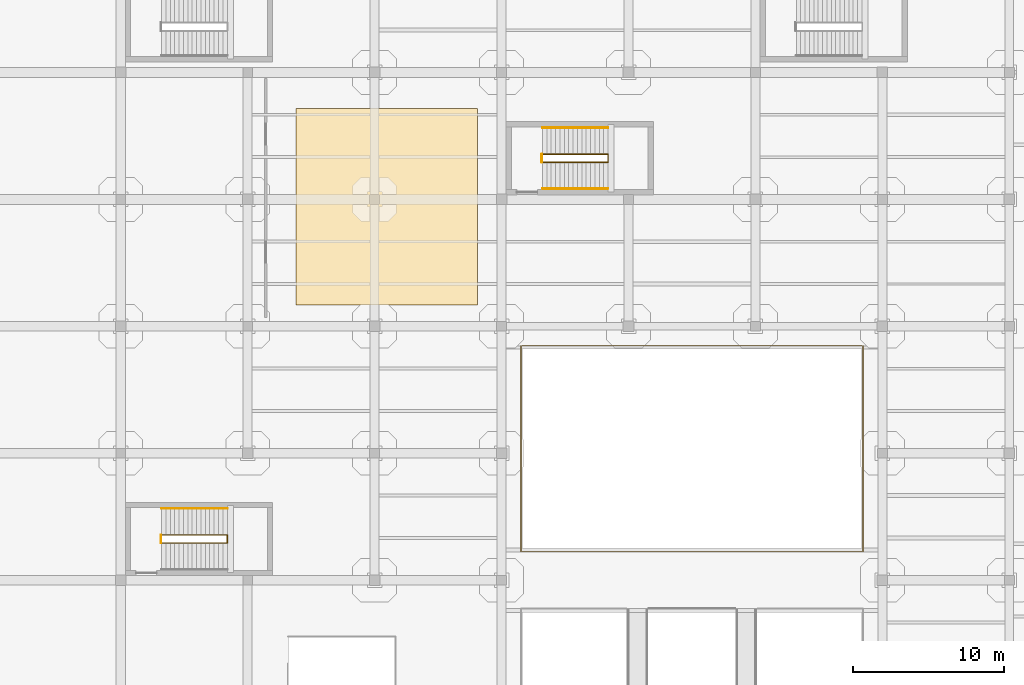
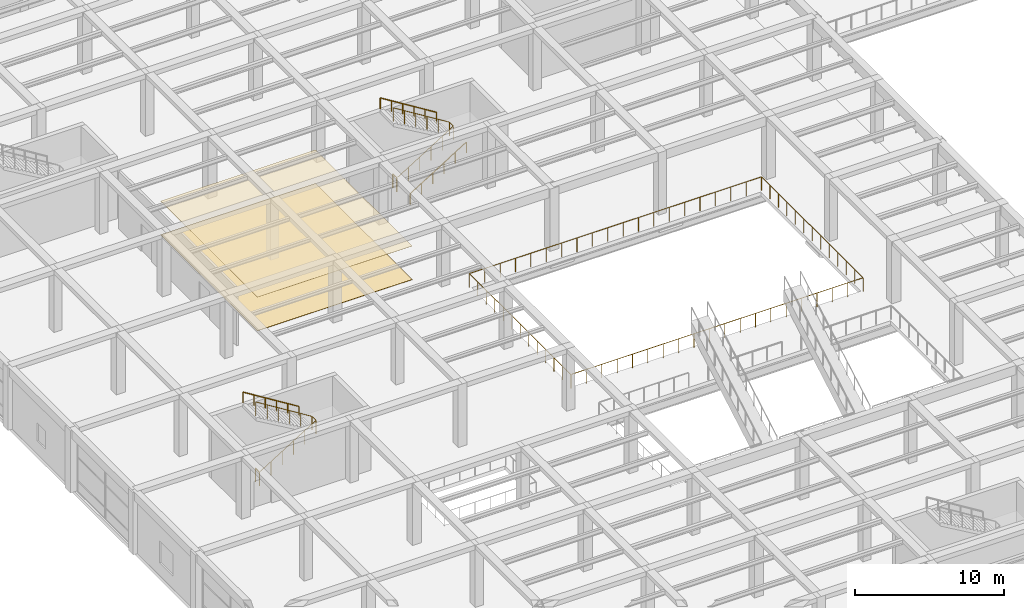
# One storey, part 58 of 65: 8 railings, 2 coverings.
"""IFC4 building model written with IfcOpenShell, lengths in metres."""

from ifc_helpers import new_model, si_unit, direction, frame, origin, origin_2d, place, context, subcontext, project, spatial, polyline, circle, outline, extrude, material, layer, layer_set, type_object, element, save


model = new_model("IFC4")

# Units and contexts
model_context = context("Model", 3, precision=1e-05, world=origin(), true_north=direction((0.0, 1.0)))
body_context = subcontext(model_context, "Body", "Model", "MODEL_VIEW")
ifc_project = project(units=[si_unit("LENGTHUNIT", "METRE"), si_unit("AREAUNIT", "SQUARE_METRE"), si_unit("VOLUMEUNIT", "CUBIC_METRE"), si_unit("PLANEANGLEUNIT", "RADIAN"), si_unit("MASSUNIT", "GRAM", prefix="KILO")], contexts=[model_context])

# Site, building, storey
site_placement = place(None, origin())
site = spatial("IfcSite", under=ifc_project, at=site_placement, CompositionType="ELEMENT")
building_placement = place(site_placement, origin())
building = spatial("IfcBuilding", under=site, at=building_placement, Name="Almacenes y Pasaje Nevantli", CompositionType="ELEMENT")
storey_placement = place(building_placement, frame((0.0, 0.0, 16.800048828125)))
storey = spatial("IfcBuildingStorey", under=building, at=storey_placement, Name="L04", CompositionType="ELEMENT", Elevation=16.800048828125)

# Coverings
ifc_material_1 = material(Name="Perforated Acoustic Mineral Fiber Ceiling", Category="gypsum")
ifc_layer_1 = layer(ifc_material_1, 0.02001953125)
ifc_layer_set_1 = layer_set([ifc_layer_1], Name="Perforated Acoustic Mineral Fiber Ceiling")
covering_type_1 = type_object("IfcCoveringType", Name="COV-CEIL-ACU", PredefinedType="CEILING", material=ifc_layer_set_1)
covering_1_placement = place(storey_placement, frame((0.0, 0.0, 2.75)))
element("IfcCovering", 1, at=covering_1_placement, inside=storey, type_object=covering_type_1, Name="L04 Suspended Acoustic Ceiling Panel", PredefinedType="CEILING", context=body_context, shape_type="SweptSolid", body=[
    extrude(outline(polyline([(20.0, 77.0), (32.0, 77.0), (32.0, 90.0), (20.0, 90.0), (20.0, 77.0)])), origin(), (0.0, 0.0, 1.0), 0.02001953125),
])
ifc_material_2 = material(Name="Polished Toluca Stone Terrazzo Flooring", Category="masonry")
ifc_layer_2 = layer(ifc_material_2, 0.02490234375)
ifc_layer_set_2 = layer_set([ifc_layer_2], Name="Polished Toluca Stone Terrazzo Flooring")
covering_type_2 = type_object("IfcCoveringType", Name="COV-FLR-TERRAZZO", PredefinedType="FLOORING", material=ifc_layer_set_2)
covering_2_placement = place(storey_placement, origin())
element("IfcCovering", 2, at=covering_2_placement, inside=storey, type_object=covering_type_2, Name="L04 Polished Stone Terrazzo Floor Finish", PredefinedType="FLOORING", context=body_context, shape_type="SweptSolid", body=[
    extrude(outline(polyline([(20.0, 77.0), (32.0, 77.0), (32.0, 90.0), (20.0, 90.0), (20.0, 77.0)])), origin(), (0.0, 0.0, 1.0), 0.02490234375),
])

# Railings
ifc_material_3 = material(Name="Brushed Stainless Steel and Tempered Safety Glass", Category="steel")
railing_type_1 = type_object("IfcRailingType", Name="RL-GUARD-1100", PredefinedType="BALUSTRADE", material=ifc_material_3)
railing_1_placement = place(storey_placement, frame((11.10009765625, 61.260009765625, 0.0)))
element("IfcRailing", 3, at=railing_1_placement, inside=storey, type_object=railing_type_1, Name="L04 Stair ST-12 Inner Well Guard Balustrade", PredefinedType="BALUSTRADE", context=body_context, shape_type="SweptSolid", body=[
    extrude(circle(Radius=0.02392578125, at=origin_2d()), frame((0.025390625, 0.0, 1.1416015625), z_axis=(0.849636482215, 0.0, 0.527368797038), x_axis=(0.0, 1.0, 0.0)), (0.0, 0.0, 1.0), 5.0595703125),
    extrude(circle(Radius=0.02392578125, at=origin_2d()), frame((4.349853515625, 0.030029296875, 3.82568359375), z_axis=(0.0, 1.0, 0.0), x_axis=(-1.0, 0.0, 0.0)), (0.0, 0.0, 1.0), 0.469970703125),
    extrude(circle(Radius=0.02392578125, at=origin_2d()), frame((4.324462890625, 0.530029296875, 3.841552734375), z_axis=(-0.849636482215, 0.0, 0.527368797038), x_axis=(0.0, -1.0, 0.0)), (0.0, 0.0, 1.0), 5.0595703125),
    extrude(circle(Radius=0.02099609375, at=origin_2d()), origin(), (0.0, 0.0, 1.0), 1.096923828125),
    extrude(circle(Radius=0.02099609375, at=origin_2d()), frame((0.869873046875, 0.0, 0.5400390625)), (0.0, 0.0, 1.0), 1.096923828125),
    extrude(circle(Radius=0.02099609375, at=origin_2d()), frame((1.739990234375, 0.0, 1.080078125)), (0.0, 0.0, 1.0), 1.096923828125),
    extrude(circle(Radius=0.02099609375, at=origin_2d()), frame((2.60986328125, 0.0, 1.619873046875)), (0.0, 0.0, 1.0), 1.096923828125),
    extrude(circle(Radius=0.02099609375, at=origin_2d()), frame((3.47998046875, 0.0, 2.159912109375)), (0.0, 0.0, 1.0), 1.096923828125),
    extrude(circle(Radius=0.02099609375, at=origin_2d()), frame((4.349853515625, 0.0, 2.699951171875)), (0.0, 0.0, 1.0), 1.096923828125),
    extrude(circle(Radius=0.02099609375, at=origin_2d()), frame((4.349853515625, 0.530029296875, 2.699951171875)), (0.0, 0.0, 1.0), 1.096923828125),
    extrude(circle(Radius=0.02099609375, at=origin_2d()), frame((3.47998046875, 0.530029296875, 3.239990234375)), (0.0, 0.0, 1.0), 1.096923828125),
    extrude(circle(Radius=0.02099609375, at=origin_2d()), frame((2.60986328125, 0.530029296875, 3.780029296875)), (0.0, 0.0, 1.0), 1.096923828125),
    extrude(circle(Radius=0.02099609375, at=origin_2d()), frame((1.739990234375, 0.530029296875, 4.31982421875)), (0.0, 0.0, 1.0), 1.096923828125),
    extrude(circle(Radius=0.02099609375, at=origin_2d()), frame((0.869873046875, 0.530029296875, 4.85986328125)), (0.0, 0.0, 1.0), 1.096923828125),
    extrude(circle(Radius=0.02099609375, at=origin_2d()), frame((0.0, 0.530029296875, 5.39990234375)), (0.0, 0.0, 1.0), 1.096923828125),
])
railing_2_placement = place(storey_placement, frame((11.06005859375, 61.260009765625, 0.0)))
element("IfcRailing", 4, at=railing_2_placement, inside=storey, type_object=railing_type_1, Name="L04 Stair ST-12 Landing Well Slot Guard", PredefinedType="BALUSTRADE", context=body_context, shape_type="SweptSolid", body=[
    extrude(circle(Radius=0.02392578125, at=origin_2d()), frame((0.0, 0.030029296875, 1.1259765625), z_axis=(0.0, 1.0, 0.0), x_axis=(-1.0, 0.0, 0.0)), (0.0, 0.0, 1.0), 0.469970703125),
    extrude(circle(Radius=0.02099609375, at=origin_2d()), origin(), (0.0, 0.0, 1.0), 1.096923828125),
    extrude(circle(Radius=0.02099609375, at=origin_2d()), frame((0.0, 0.530029296875, 0.0)), (0.0, 0.0, 1.0), 1.096923828125),
])
railing_3_placement = place(storey_placement, frame((36.300048828125, 86.4599609375, 0.0)))
element("IfcRailing", 5, at=railing_3_placement, inside=storey, type_object=railing_type_1, Name="L04 Stair ST-15 Inner Well Guard Balustrade", PredefinedType="BALUSTRADE", context=body_context, shape_type="SweptSolid", body=[
    extrude(circle(Radius=0.02392578125, at=origin_2d()), frame((0.025390625, 0.0, 1.1416015625), z_axis=(0.849636482215, 0.0, 0.527368797038), x_axis=(0.0, 1.0, 0.0)), (0.0, 0.0, 1.0), 5.0595703125),
    extrude(circle(Radius=0.02392578125, at=origin_2d()), frame((4.349853515625, 0.030029296875, 3.82568359375), z_axis=(0.0, 1.0, 0.0), x_axis=(-1.0, 0.0, 0.0)), (0.0, 0.0, 1.0), 0.469970703125),
    extrude(circle(Radius=0.02392578125, at=origin_2d()), frame((4.324462890625, 0.530029296875, 3.841552734375), z_axis=(-0.849636482215, 0.0, 0.527368797038), x_axis=(0.0, -1.0, 0.0)), (0.0, 0.0, 1.0), 5.0595703125),
    extrude(circle(Radius=0.02099609375, at=origin_2d()), origin(), (0.0, 0.0, 1.0), 1.096923828125),
    extrude(circle(Radius=0.02099609375, at=origin_2d()), frame((0.869873046875, 0.0, 0.5400390625)), (0.0, 0.0, 1.0), 1.096923828125),
    extrude(circle(Radius=0.02099609375, at=origin_2d()), frame((1.739990234375, 0.0, 1.080078125)), (0.0, 0.0, 1.0), 1.096923828125),
    extrude(circle(Radius=0.02099609375, at=origin_2d()), frame((2.60986328125, 0.0, 1.619873046875)), (0.0, 0.0, 1.0), 1.096923828125),
    extrude(circle(Radius=0.02099609375, at=origin_2d()), frame((3.47998046875, 0.0, 2.159912109375)), (0.0, 0.0, 1.0), 1.096923828125),
    extrude(circle(Radius=0.02099609375, at=origin_2d()), frame((4.349853515625, 0.0, 2.699951171875)), (0.0, 0.0, 1.0), 1.096923828125),
    extrude(circle(Radius=0.02099609375, at=origin_2d()), frame((4.349853515625, 0.530029296875, 2.699951171875)), (0.0, 0.0, 1.0), 1.096923828125),
    extrude(circle(Radius=0.02099609375, at=origin_2d()), frame((3.47998046875, 0.530029296875, 3.239990234375)), (0.0, 0.0, 1.0), 1.096923828125),
    extrude(circle(Radius=0.02099609375, at=origin_2d()), frame((2.60986328125, 0.530029296875, 3.780029296875)), (0.0, 0.0, 1.0), 1.096923828125),
    extrude(circle(Radius=0.02099609375, at=origin_2d()), frame((1.739990234375, 0.530029296875, 4.31982421875)), (0.0, 0.0, 1.0), 1.096923828125),
    extrude(circle(Radius=0.02099609375, at=origin_2d()), frame((0.869873046875, 0.530029296875, 4.85986328125)), (0.0, 0.0, 1.0), 1.096923828125),
    extrude(circle(Radius=0.02099609375, at=origin_2d()), frame((0.0, 0.530029296875, 5.39990234375)), (0.0, 0.0, 1.0), 1.096923828125),
])
railing_4_placement = place(storey_placement, frame((36.260009765625, 86.4599609375, 0.0)))
element("IfcRailing", 6, at=railing_4_placement, inside=storey, type_object=railing_type_1, Name="L04 Stair ST-15 Landing Well Slot Guard", PredefinedType="BALUSTRADE", context=body_context, shape_type="SweptSolid", body=[
    extrude(circle(Radius=0.02392578125, at=origin_2d()), frame((0.0, 0.030029296875, 1.1259765625), z_axis=(0.0, 1.0, 0.0), x_axis=(-1.0, 0.0, 0.0)), (0.0, 0.0, 1.0), 0.469970703125),
    extrude(circle(Radius=0.02099609375, at=origin_2d()), origin(), (0.0, 0.0, 1.0), 1.096923828125),
    extrude(circle(Radius=0.02099609375, at=origin_2d()), frame((0.0, 0.530029296875, 0.0)), (0.0, 0.0, 1.0), 1.096923828125),
])
railing_5_placement = place(storey_placement, frame((34.8798828125, 60.679931640625, 0.0)))
element("IfcRailing", 7, at=railing_5_placement, inside=storey, type_object=railing_type_1, Name="L04 North Atrium Void Perimeter Guard Balustrade", PredefinedType="BALUSTRADE", context=body_context, shape_type="SweptSolid", body=[
    extrude(circle(Radius=0.02392578125, at=origin_2d()), frame((0.030029296875, 0.0, 1.1259765625), z_axis=(1.0, 0.0, 0.0), x_axis=(0.0, 1.0, 0.0)), (0.0, 0.0, 1.0), 22.580078125),
    extrude(circle(Radius=0.02392578125, at=origin_2d()), frame((22.64013671875, 0.030029296875, 1.1259765625), z_axis=(0.0, 1.0, 0.0), x_axis=(-1.0, 0.0, 0.0)), (0.0, 0.0, 1.0), 13.580078125),
    extrude(circle(Radius=0.02392578125, at=origin_2d()), frame((22.610107421875, 13.64013671875, 1.1259765625), z_axis=(-1.0, 0.0, 0.0), x_axis=(0.0, -1.0, 0.0)), (0.0, 0.0, 1.0), 22.580078125),
    extrude(circle(Radius=0.02392578125, at=origin_2d()), frame((0.0, 13.610107421875, 1.1259765625), z_axis=(0.0, -1.0, 0.0), x_axis=(1.0, 0.0, 0.0)), (0.0, 0.0, 1.0), 13.580078125),
    extrude(circle(Radius=0.02099609375, at=origin_2d()), origin(), (0.0, 0.0, 1.0), 1.096923828125),
    extrude(circle(Radius=0.02099609375, at=origin_2d()), frame((1.191650390625, 0.0, 0.0)), (0.0, 0.0, 1.0), 1.096923828125),
    extrude(circle(Radius=0.02099609375, at=origin_2d()), frame((2.383056640625, 0.0, 0.0)), (0.0, 0.0, 1.0), 1.096923828125),
    extrude(circle(Radius=0.02099609375, at=origin_2d()), frame((3.57470703125, 0.0, 0.0)), (0.0, 0.0, 1.0), 1.096923828125),
    extrude(circle(Radius=0.02099609375, at=origin_2d()), frame((4.766357421875, 0.0, 0.0)), (0.0, 0.0, 1.0), 1.096923828125),
    extrude(circle(Radius=0.02099609375, at=origin_2d()), frame((5.9580078125, 0.0, 0.0)), (0.0, 0.0, 1.0), 1.096923828125),
    extrude(circle(Radius=0.02099609375, at=origin_2d()), frame((7.1494140625, 0.0, 0.0)), (0.0, 0.0, 1.0), 1.096923828125),
    extrude(circle(Radius=0.02099609375, at=origin_2d()), frame((8.341064453125, 0.0, 0.0)), (0.0, 0.0, 1.0), 1.096923828125),
    extrude(circle(Radius=0.02099609375, at=origin_2d()), frame((9.53271484375, 0.0, 0.0)), (0.0, 0.0, 1.0), 1.096923828125),
    extrude(circle(Radius=0.02099609375, at=origin_2d()), frame((10.724365234375, 0.0, 0.0)), (0.0, 0.0, 1.0), 1.096923828125),
    extrude(circle(Radius=0.02099609375, at=origin_2d()), frame((11.915771484375, 0.0, 0.0)), (0.0, 0.0, 1.0), 1.096923828125),
    extrude(circle(Radius=0.02099609375, at=origin_2d()), frame((13.107421875, 0.0, 0.0)), (0.0, 0.0, 1.0), 1.096923828125),
    extrude(circle(Radius=0.02099609375, at=origin_2d()), frame((14.299072265625, 0.0, 0.0)), (0.0, 0.0, 1.0), 1.096923828125),
    extrude(circle(Radius=0.02099609375, at=origin_2d()), frame((15.49072265625, 0.0, 0.0)), (0.0, 0.0, 1.0), 1.096923828125),
    extrude(circle(Radius=0.02099609375, at=origin_2d()), frame((16.68212890625, 0.0, 0.0)), (0.0, 0.0, 1.0), 1.096923828125),
    extrude(circle(Radius=0.02099609375, at=origin_2d()), frame((17.873779296875, 0.0, 0.0)), (0.0, 0.0, 1.0), 1.096923828125),
    extrude(circle(Radius=0.02099609375, at=origin_2d()), frame((19.0654296875, 0.0, 0.0)), (0.0, 0.0, 1.0), 1.096923828125),
    extrude(circle(Radius=0.02099609375, at=origin_2d()), frame((20.257080078125, 0.0, 0.0)), (0.0, 0.0, 1.0), 1.096923828125),
    extrude(circle(Radius=0.02099609375, at=origin_2d()), frame((21.448486328125, 0.0, 0.0)), (0.0, 0.0, 1.0), 1.096923828125),
    extrude(circle(Radius=0.02099609375, at=origin_2d()), frame((22.64013671875, 0.0, 0.0)), (0.0, 0.0, 1.0), 1.096923828125),
    extrude(circle(Radius=0.02099609375, at=origin_2d()), frame((22.64013671875, 1.13671875, 0.0)), (0.0, 0.0, 1.0), 1.096923828125),
    extrude(circle(Radius=0.02099609375, at=origin_2d()), frame((22.64013671875, 2.2734375, 0.0)), (0.0, 0.0, 1.0), 1.096923828125),
    extrude(circle(Radius=0.02099609375, at=origin_2d()), frame((22.64013671875, 3.41015625, 0.0)), (0.0, 0.0, 1.0), 1.096923828125),
    extrude(circle(Radius=0.02099609375, at=origin_2d()), frame((22.64013671875, 4.546630859375, 0.0)), (0.0, 0.0, 1.0), 1.096923828125),
    extrude(circle(Radius=0.02099609375, at=origin_2d()), frame((22.64013671875, 5.683349609375, 0.0)), (0.0, 0.0, 1.0), 1.096923828125),
    extrude(circle(Radius=0.02099609375, at=origin_2d()), frame((22.64013671875, 6.820068359375, 0.0)), (0.0, 0.0, 1.0), 1.096923828125),
    extrude(circle(Radius=0.02099609375, at=origin_2d()), frame((22.64013671875, 7.956787109375, 0.0)), (0.0, 0.0, 1.0), 1.096923828125),
    extrude(circle(Radius=0.02099609375, at=origin_2d()), frame((22.64013671875, 9.093505859375, 0.0)), (0.0, 0.0, 1.0), 1.096923828125),
    extrude(circle(Radius=0.02099609375, at=origin_2d()), frame((22.64013671875, 10.22998046875, 0.0)), (0.0, 0.0, 1.0), 1.096923828125),
    extrude(circle(Radius=0.02099609375, at=origin_2d()), frame((22.64013671875, 11.36669921875, 0.0)), (0.0, 0.0, 1.0), 1.096923828125),
    extrude(circle(Radius=0.02099609375, at=origin_2d()), frame((22.64013671875, 12.50341796875, 0.0)), (0.0, 0.0, 1.0), 1.096923828125),
    extrude(circle(Radius=0.02099609375, at=origin_2d()), frame((22.64013671875, 13.64013671875, 0.0)), (0.0, 0.0, 1.0), 1.096923828125),
    extrude(circle(Radius=0.02099609375, at=origin_2d()), frame((21.448486328125, 13.64013671875, 0.0)), (0.0, 0.0, 1.0), 1.096923828125),
    extrude(circle(Radius=0.02099609375, at=origin_2d()), frame((20.257080078125, 13.64013671875, 0.0)), (0.0, 0.0, 1.0), 1.096923828125),
    extrude(circle(Radius=0.02099609375, at=origin_2d()), frame((19.0654296875, 13.64013671875, 0.0)), (0.0, 0.0, 1.0), 1.096923828125),
    extrude(circle(Radius=0.02099609375, at=origin_2d()), frame((17.873779296875, 13.64013671875, 0.0)), (0.0, 0.0, 1.0), 1.096923828125),
    extrude(circle(Radius=0.02099609375, at=origin_2d()), frame((16.68212890625, 13.64013671875, 0.0)), (0.0, 0.0, 1.0), 1.096923828125),
    extrude(circle(Radius=0.02099609375, at=origin_2d()), frame((15.49072265625, 13.64013671875, 0.0)), (0.0, 0.0, 1.0), 1.096923828125),
    extrude(circle(Radius=0.02099609375, at=origin_2d()), frame((14.299072265625, 13.64013671875, 0.0)), (0.0, 0.0, 1.0), 1.096923828125),
    extrude(circle(Radius=0.02099609375, at=origin_2d()), frame((13.107421875, 13.64013671875, 0.0)), (0.0, 0.0, 1.0), 1.096923828125),
    extrude(circle(Radius=0.02099609375, at=origin_2d()), frame((11.915771484375, 13.64013671875, 0.0)), (0.0, 0.0, 1.0), 1.096923828125),
    extrude(circle(Radius=0.02099609375, at=origin_2d()), frame((10.724365234375, 13.64013671875, 0.0)), (0.0, 0.0, 1.0), 1.096923828125),
    extrude(circle(Radius=0.02099609375, at=origin_2d()), frame((9.53271484375, 13.64013671875, 0.0)), (0.0, 0.0, 1.0), 1.096923828125),
    extrude(circle(Radius=0.02099609375, at=origin_2d()), frame((8.341064453125, 13.64013671875, 0.0)), (0.0, 0.0, 1.0), 1.096923828125),
    extrude(circle(Radius=0.02099609375, at=origin_2d()), frame((7.1494140625, 13.64013671875, 0.0)), (0.0, 0.0, 1.0), 1.096923828125),
    extrude(circle(Radius=0.02099609375, at=origin_2d()), frame((5.9580078125, 13.64013671875, 0.0)), (0.0, 0.0, 1.0), 1.096923828125),
    extrude(circle(Radius=0.02099609375, at=origin_2d()), frame((4.766357421875, 13.64013671875, 0.0)), (0.0, 0.0, 1.0), 1.096923828125),
    extrude(circle(Radius=0.02099609375, at=origin_2d()), frame((3.57470703125, 13.64013671875, 0.0)), (0.0, 0.0, 1.0), 1.096923828125),
    extrude(circle(Radius=0.02099609375, at=origin_2d()), frame((2.383056640625, 13.64013671875, 0.0)), (0.0, 0.0, 1.0), 1.096923828125),
    extrude(circle(Radius=0.02099609375, at=origin_2d()), frame((1.191650390625, 13.64013671875, 0.0)), (0.0, 0.0, 1.0), 1.096923828125),
    extrude(circle(Radius=0.02099609375, at=origin_2d()), frame((0.0, 13.64013671875, 0.0)), (0.0, 0.0, 1.0), 1.096923828125),
    extrude(circle(Radius=0.02099609375, at=origin_2d()), frame((0.0, 12.50341796875, 0.0)), (0.0, 0.0, 1.0), 1.096923828125),
    extrude(circle(Radius=0.02099609375, at=origin_2d()), frame((0.0, 11.36669921875, 0.0)), (0.0, 0.0, 1.0), 1.096923828125),
    extrude(circle(Radius=0.02099609375, at=origin_2d()), frame((0.0, 10.22998046875, 0.0)), (0.0, 0.0, 1.0), 1.096923828125),
    extrude(circle(Radius=0.02099609375, at=origin_2d()), frame((0.0, 9.093505859375, 0.0)), (0.0, 0.0, 1.0), 1.096923828125),
    extrude(circle(Radius=0.02099609375, at=origin_2d()), frame((0.0, 7.956787109375, 0.0)), (0.0, 0.0, 1.0), 1.096923828125),
    extrude(circle(Radius=0.02099609375, at=origin_2d()), frame((0.0, 6.820068359375, 0.0)), (0.0, 0.0, 1.0), 1.096923828125),
    extrude(circle(Radius=0.02099609375, at=origin_2d()), frame((0.0, 5.683349609375, 0.0)), (0.0, 0.0, 1.0), 1.096923828125),
    extrude(circle(Radius=0.02099609375, at=origin_2d()), frame((0.0, 4.546630859375, 0.0)), (0.0, 0.0, 1.0), 1.096923828125),
    extrude(circle(Radius=0.02099609375, at=origin_2d()), frame((0.0, 3.41015625, 0.0)), (0.0, 0.0, 1.0), 1.096923828125),
    extrude(circle(Radius=0.02099609375, at=origin_2d()), frame((0.0, 2.2734375, 0.0)), (0.0, 0.0, 1.0), 1.096923828125),
    extrude(circle(Radius=0.02099609375, at=origin_2d()), frame((0.0, 1.13671875, 0.0)), (0.0, 0.0, 1.0), 1.096923828125),
])
ifc_material_4 = material(Name="Brushed Stainless Steel Tube", Category="steel")
railing_type_2 = type_object("IfcRailingType", Name="RL-HANDRAIL-900", PredefinedType="HANDRAIL", material=ifc_material_4)
railing_6_placement = place(storey_placement, frame((15.449951171875, 63.5400390625, 2.699951171875)))
element("IfcRailing", 8, at=railing_6_placement, inside=storey, type_object=railing_type_2, Name="L04 Stair ST-12 Upper Flight Handrail", PredefinedType="HANDRAIL", context=body_context, shape_type="SweptSolid", body=[
    extrude(circle(Radius=0.02392578125, at=origin_2d()), frame((-0.025390625, 0.0, 0.8916015625), z_axis=(-0.849636482215, 0.0, 0.527368797038), x_axis=(0.0, -1.0, 0.0)), (0.0, 0.0, 1.0), 5.0595703125),
    extrude(circle(Radius=0.02099609375, at=origin_2d()), origin(), (0.0, 0.0, 1.0), 0.846923828125),
    extrude(circle(Radius=0.02099609375, at=origin_2d()), frame((-0.869873046875, 0.0, 0.5400390625)), (0.0, 0.0, 1.0), 0.846923828125),
    extrude(circle(Radius=0.02099609375, at=origin_2d()), frame((-1.739990234375, 0.0, 1.080078125)), (0.0, 0.0, 1.0), 0.846923828125),
    extrude(circle(Radius=0.02099609375, at=origin_2d()), frame((-2.60986328125, 0.0, 1.619873046875)), (0.0, 0.0, 1.0), 0.846923828125),
    extrude(circle(Radius=0.02099609375, at=origin_2d()), frame((-3.47998046875, 0.0, 2.159912109375)), (0.0, 0.0, 1.0), 0.846923828125),
    extrude(circle(Radius=0.02099609375, at=origin_2d()), frame((-4.349853515625, 0.0, 2.699951171875)), (0.0, 0.0, 1.0), 0.846923828125),
])
railing_7_placement = place(storey_placement, frame((36.300048828125, 84.7099609375, 0.0)))
element("IfcRailing", 9, at=railing_7_placement, inside=storey, type_object=railing_type_2, Name="L04 Stair ST-15 Lower Flight Handrail", PredefinedType="HANDRAIL", context=body_context, shape_type="SweptSolid", body=[
    extrude(circle(Radius=0.02392578125, at=origin_2d()), frame((0.025390625, 0.0, 0.8916015625), z_axis=(0.849636482215, 0.0, 0.527368797038), x_axis=(0.0, 1.0, 0.0)), (0.0, 0.0, 1.0), 5.0595703125),
    extrude(circle(Radius=0.02099609375, at=origin_2d()), origin(), (0.0, 0.0, 1.0), 0.846923828125),
    extrude(circle(Radius=0.02099609375, at=origin_2d()), frame((0.869873046875, 0.0, 0.5400390625)), (0.0, 0.0, 1.0), 0.846923828125),
    extrude(circle(Radius=0.02099609375, at=origin_2d()), frame((1.739990234375, 0.0, 1.080078125)), (0.0, 0.0, 1.0), 0.846923828125),
    extrude(circle(Radius=0.02099609375, at=origin_2d()), frame((2.60986328125, 0.0, 1.619873046875)), (0.0, 0.0, 1.0), 0.846923828125),
    extrude(circle(Radius=0.02099609375, at=origin_2d()), frame((3.47998046875, 0.0, 2.159912109375)), (0.0, 0.0, 1.0), 0.846923828125),
    extrude(circle(Radius=0.02099609375, at=origin_2d()), frame((4.349853515625, 0.0, 2.699951171875)), (0.0, 0.0, 1.0), 0.846923828125),
])
railing_8_placement = place(storey_placement, frame((40.64990234375, 88.739990234375, 2.699951171875)))
element("IfcRailing", 10, at=railing_8_placement, inside=storey, type_object=railing_type_2, Name="L04 Stair ST-15 Upper Flight Handrail", PredefinedType="HANDRAIL", context=body_context, shape_type="SweptSolid", body=[
    extrude(circle(Radius=0.02392578125, at=origin_2d()), frame((-0.025390625, 0.0, 0.8916015625), z_axis=(-0.849636482215, 0.0, 0.527368797038), x_axis=(0.0, -1.0, 0.0)), (0.0, 0.0, 1.0), 5.0595703125),
    extrude(circle(Radius=0.02099609375, at=origin_2d()), origin(), (0.0, 0.0, 1.0), 0.846923828125),
    extrude(circle(Radius=0.02099609375, at=origin_2d()), frame((-0.869873046875, 0.0, 0.5400390625)), (0.0, 0.0, 1.0), 0.846923828125),
    extrude(circle(Radius=0.02099609375, at=origin_2d()), frame((-1.739990234375, 0.0, 1.080078125)), (0.0, 0.0, 1.0), 0.846923828125),
    extrude(circle(Radius=0.02099609375, at=origin_2d()), frame((-2.60986328125, 0.0, 1.619873046875)), (0.0, 0.0, 1.0), 0.846923828125),
    extrude(circle(Radius=0.02099609375, at=origin_2d()), frame((-3.47998046875, 0.0, 2.159912109375)), (0.0, 0.0, 1.0), 0.846923828125),
    extrude(circle(Radius=0.02099609375, at=origin_2d()), frame((-4.349853515625, 0.0, 2.699951171875)), (0.0, 0.0, 1.0), 0.846923828125),
])

save(model, "model.ifc")
